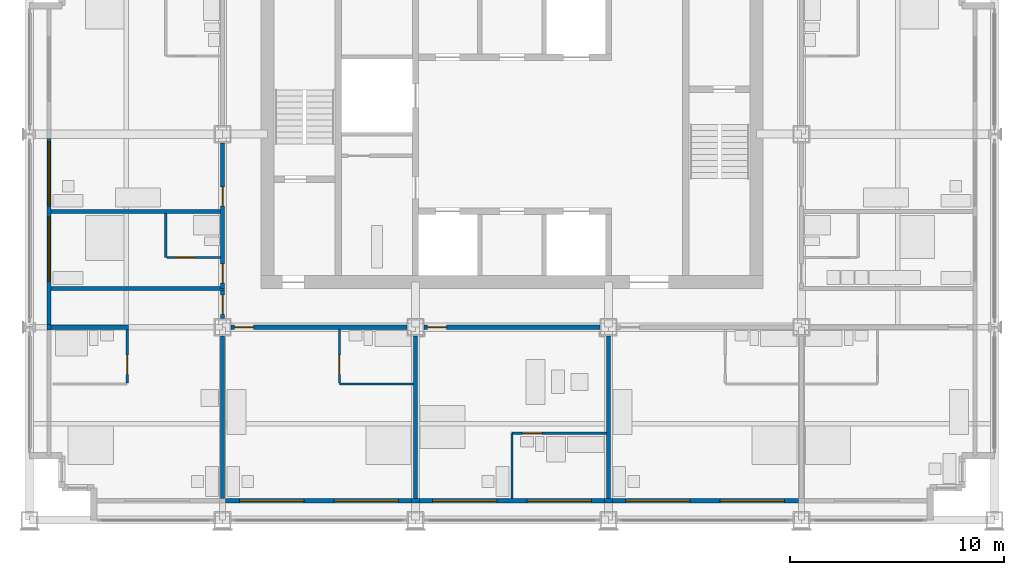
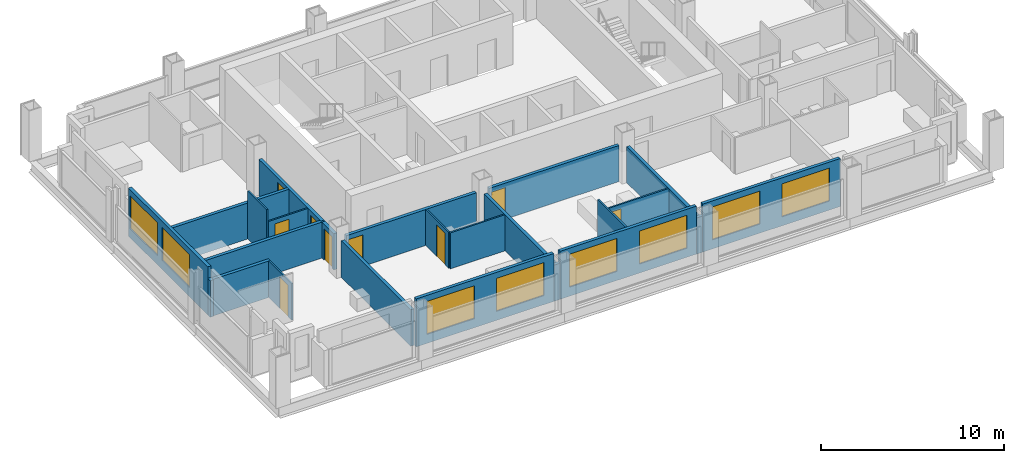
# One storey, part 7 of 13: 24 walls, 9 doors, 8 windows, 17 openings.
"""IFC4 building model written with IfcOpenShell, lengths in metres."""

from ifc_helpers import new_model, si_unit, direction, frame, frame_2d, origin, place, context, subcontext, project, spatial, rectangle, extrude, material, layer, layer_set, type_object, element, fill, save


model = new_model("IFC4")

# Units and contexts
model_context = context("Model", 3, precision=1e-05, world=origin(), true_north=direction((0.0, 1.0)))
body_context = subcontext(model_context, "Body", "Model", "MODEL_VIEW")
ifc_project = project(units=[si_unit("LENGTHUNIT", "METRE"), si_unit("AREAUNIT", "SQUARE_METRE"), si_unit("VOLUMEUNIT", "CUBIC_METRE"), si_unit("PLANEANGLEUNIT", "RADIAN"), si_unit("MASSUNIT", "GRAM", prefix="KILO")], contexts=[model_context])

# Site, building, storey
site_placement = place(None, origin())
site = spatial("IfcSite", under=ifc_project, at=site_placement, CompositionType="ELEMENT")
building_placement = place(site_placement, origin())
building = spatial("IfcBuilding", under=site, at=building_placement, Name="Loomwork Tower", CompositionType="ELEMENT")
storey_placement = place(building_placement, frame((0.0, 0.0, 174.0)))
storey = spatial("IfcBuildingStorey", under=building, at=storey_placement, Name="L47", CompositionType="ELEMENT", Elevation=174.0)

# Wall
ifc_material_1 = material(Name="Gypsum board on steel studs, one-hour", Category="steel")
ifc_layer_1 = layer(ifc_material_1, 0.199951171875)
ifc_layer_set_1 = layer_set([ifc_layer_1], Name="Corridor wall 200")
wall_type_1 = type_object("IfcWallType", Name="Corridor wall 200", PredefinedType="PARTITIONING", material=ifc_layer_set_1)
wall_1_placement = place(storey_placement, frame((1.0, 9.0, 0.0), z_axis=(0.0, 0.0, 1.0), x_axis=(1.0, 0.0, 0.0)))
element("IfcWall", 1, at=wall_1_placement, inside=storey, type_object=wall_type_1, Name="South corridor wall 1", PredefinedType="PARTITIONING", context=body_context, shape_type="SweptSolid", body=[
    extrude(rectangle(XDim=3.60009765625, YDim=0.199951171875, at=frame_2d((1.800048828125, 0.0))), origin(), (0.0, 0.0, 1.0), 2.43798828125),
])

# Wall, opening, door
wall_2_placement = place(storey_placement, frame((9.39990234375, 9.0, 0.0), z_axis=(0.0, 0.0, 1.0), x_axis=(1.0, 0.0, 0.0)))
wall_2 = element("IfcWall", 2, at=wall_2_placement, inside=storey, type_object=wall_type_1, Name="South corridor wall 2", PredefinedType="PARTITIONING", context=body_context, shape_type="SweptSolid", body=[
    extrude(rectangle(XDim=8.2001953125, YDim=0.199951171875, at=frame_2d((4.10009765625, 0.0))), origin(), (0.0, 0.0, 1.0), 2.405029296875),
])
opening_1_placement = place(wall_2_placement, frame((0.14990234375, 0.0, 0.0)))
opening_1 = element("IfcOpeningElement", 3, at=opening_1_placement, cuts=wall_2, Name="Opening D1", PredefinedType="OPENING", context=body_context, shape_type="SweptSolid", body=[
    extrude(rectangle(XDim=0.89990234375, YDim=2.10009765625, at=frame_2d((0.449951171875, 1.050048828125))), frame((0.0, 0.10986328125, 0.0), z_axis=(0.0, -1.0, 0.0), x_axis=(1.0, 0.0, 0.0)), (0.0, 0.0, 1.0), 0.219970703125),
])
ifc_material_2 = material(Name="Hollow metal door and frame")
door_type_1 = type_object("IfcDoorType", Name="Guest room entry door 900", OperationType="SINGLE_SWING_LEFT", PredefinedType="DOOR", material=ifc_material_2)
door_1_placement = place(opening_1_placement, frame((0.89990234375, 0.0, 0.0), z_axis=(0.0, 0.0, 1.0), x_axis=(-1.0, 0.0, 0.0)))
door_1 = element("IfcDoor", 4, at=door_1_placement, inside=storey, type_object=door_type_1, Name="Guest room entry door L47 2", OperationType="SINGLE_SWING_RIGHT", OverallHeight=2.10009765625, OverallWidth=0.89990234375, PredefinedType="DOOR", context=body_context, shape_type="SweptSolid", body=[
    extrude(rectangle(XDim=0.89990234375, YDim=2.10009765625, at=frame_2d((0.449951171875, 1.050048828125))), frame((0.0, 0.02490234375, 0.0), z_axis=(0.0, -1.0, 0.0), x_axis=(1.0, 0.0, 0.0)), (0.0, 0.0, 1.0), 0.050048828125),
])
fill(opening_1, door_1)

wall_3_placement = place(storey_placement, frame((18.39990234375, 9.0, 0.0), z_axis=(0.0, 0.0, 1.0), x_axis=(1.0, 0.0, 0.0)))
wall_3 = element("IfcWall", 5, at=wall_3_placement, inside=storey, type_object=wall_type_1, Name="South corridor wall 3", PredefinedType="PARTITIONING", context=body_context, shape_type="SweptSolid", body=[
    extrude(rectangle(XDim=8.2001953125, YDim=0.199951171875, at=frame_2d((4.10009765625, 0.0))), origin(), (0.0, 0.0, 1.0), 2.405029296875),
])
opening_2_placement = place(wall_3_placement, frame((0.14990234375, 0.0, 0.0)))
opening_2 = element("IfcOpeningElement", 6, at=opening_2_placement, cuts=wall_3, Name="Opening D1", PredefinedType="OPENING", context=body_context, shape_type="SweptSolid", body=[
    extrude(rectangle(XDim=0.89990234375, YDim=2.10009765625, at=frame_2d((0.449951171875, 1.050048828125))), frame((0.0, 0.10986328125, 0.0), z_axis=(0.0, -1.0, 0.0), x_axis=(1.0, 0.0, 0.0)), (0.0, 0.0, 1.0), 0.219970703125),
])
door_2_placement = place(opening_2_placement, frame((0.89990234375, 0.0, 0.0), z_axis=(0.0, 0.0, 1.0), x_axis=(-1.0, 0.0, 0.0)))
door_2 = element("IfcDoor", 7, at=door_2_placement, inside=storey, type_object=door_type_1, Name="Guest room entry door L47 3", OperationType="SINGLE_SWING_RIGHT", OverallHeight=2.10009765625, OverallWidth=0.89990234375, PredefinedType="DOOR", context=body_context, shape_type="SweptSolid", body=[
    extrude(rectangle(XDim=0.89990234375, YDim=2.10009765625, at=frame_2d((0.449951171875, 1.050048828125))), frame((0.0, 0.02490234375, 0.0), z_axis=(0.0, -1.0, 0.0), x_axis=(1.0, 0.0, 0.0)), (0.0, 0.0, 1.0), 0.050048828125),
])
fill(opening_2, door_2)

# Wall, openings, doors
wall_4_placement = place(storey_placement, frame((9.0, 10.800048828125, 0.0), z_axis=(0.0, 0.0, 1.0), x_axis=(0.0, 1.0, 0.0)))
wall_4 = element("IfcWall", 8, at=wall_4_placement, inside=storey, type_object=wall_type_1, Name="West corridor wall 1", PredefinedType="PARTITIONING", context=body_context, shape_type="SweptSolid", body=[
    extrude(rectangle(XDim=6.800048828125, YDim=0.199951171875, at=frame_2d((3.39990234375, 0.0))), origin(), (0.0, 0.0, 1.0), 2.405029296875),
])
opening_3_placement = place(wall_4_placement, frame((0.25, 0.0, 0.0)))
opening_3 = element("IfcOpeningElement", 9, at=opening_3_placement, cuts=wall_4, Name="Opening D1", PredefinedType="OPENING", context=body_context, shape_type="SweptSolid", body=[
    extrude(rectangle(XDim=0.89990234375, YDim=2.10009765625, at=frame_2d((0.449951171875, 1.050048828125))), frame((0.0, 0.10986328125, 0.0), z_axis=(0.0, -1.0, 0.0), x_axis=(1.0, 0.0, 0.0)), (0.0, 0.0, 1.0), 0.219970703125),
])
opening_4_placement = place(wall_4_placement, frame((3.85009765625, 0.0, 0.0)))
opening_4 = element("IfcOpeningElement", 10, at=opening_4_placement, cuts=wall_4, Name="Opening D1", PredefinedType="OPENING", context=body_context, shape_type="SweptSolid", body=[
    extrude(rectangle(XDim=0.89990234375, YDim=2.10009765625, at=frame_2d((0.449951171875, 1.050048828125))), frame((0.0, 0.10986328125, 0.0), z_axis=(0.0, -1.0, 0.0), x_axis=(1.0, 0.0, 0.0)), (0.0, 0.0, 1.0), 0.219970703125),
])
door_3_placement = place(opening_3_placement, origin())
door_3 = element("IfcDoor", 11, at=door_3_placement, inside=storey, type_object=door_type_1, Name="Guest room entry door L47 6", OperationType="SINGLE_SWING_LEFT", OverallHeight=2.10009765625, OverallWidth=0.89990234375, PredefinedType="DOOR", context=body_context, shape_type="SweptSolid", body=[
    extrude(rectangle(XDim=0.89990234375, YDim=2.10009765625, at=frame_2d((0.449951171875, 1.050048828125))), frame((0.0, 0.02490234375, 0.0), z_axis=(0.0, -1.0, 0.0), x_axis=(1.0, 0.0, 0.0)), (0.0, 0.0, 1.0), 0.050048828125),
])
fill(opening_3, door_3)
door_4_placement = place(opening_4_placement, origin())
door_4 = element("IfcDoor", 12, at=door_4_placement, inside=storey, type_object=door_type_1, Name="Guest room entry door L47 7", OperationType="SINGLE_SWING_LEFT", OverallHeight=2.10009765625, OverallWidth=0.89990234375, PredefinedType="DOOR", context=body_context, shape_type="SweptSolid", body=[
    extrude(rectangle(XDim=0.89990234375, YDim=2.10009765625, at=frame_2d((0.449951171875, 1.050048828125))), frame((0.0, 0.02490234375, 0.0), z_axis=(0.0, -1.0, 0.0), x_axis=(1.0, 0.0, 0.0)), (0.0, 0.0, 1.0), 0.050048828125),
])
fill(opening_4, door_4)

# Wall
wall_5_placement = place(storey_placement, frame((1.0, 10.800048828125, 0.0), z_axis=(0.0, 0.0, 1.0), x_axis=(1.0, 0.0, 0.0)))
element("IfcWall", 13, at=wall_5_placement, inside=storey, type_object=wall_type_1, Name="West band end wall S", PredefinedType="PARTITIONING", context=body_context, shape_type="SweptSolid", body=[
    extrude(rectangle(XDim=8.10009765625, YDim=0.199951171875, at=frame_2d((4.050048828125, 0.0))), origin(), (0.0, 0.0, 1.0), 2.404052734375),
])

# Wall, opening, door
wall_6_placement = place(storey_placement, frame((9.0, 9.39990234375, 0.0), z_axis=(0.0, 0.0, 1.0), x_axis=(0.0, 1.0, 0.0)))
wall_6 = element("IfcWall", 14, at=wall_6_placement, inside=storey, type_object=wall_type_1, Name="Corner suite foyer wall", PredefinedType="PARTITIONING", context=body_context, shape_type="SweptSolid", body=[
    extrude(rectangle(XDim=1.300048828125, YDim=0.199951171875, at=frame_2d((0.64990234375, 0.0))), origin(), (0.0, 0.0, 1.0), 2.405029296875),
])
opening_5_placement = place(wall_6_placement, frame((0.199951171875, 0.0, 0.0)))
opening_5 = element("IfcOpeningElement", 15, at=opening_5_placement, cuts=wall_6, Name="Opening D1", PredefinedType="OPENING", context=body_context, shape_type="SweptSolid", body=[
    extrude(rectangle(XDim=0.89990234375, YDim=2.10009765625, at=frame_2d((0.449951171875, 1.050048828125))), frame((0.0, 0.10986328125, 0.0), z_axis=(0.0, -1.0, 0.0), x_axis=(1.0, 0.0, 0.0)), (0.0, 0.0, 1.0), 0.219970703125),
])
door_5_placement = place(opening_5_placement, origin())
door_5 = element("IfcDoor", 16, at=door_5_placement, inside=storey, type_object=door_type_1, Name="Guest room entry door L47 1", OperationType="SINGLE_SWING_RIGHT", OverallHeight=2.10009765625, OverallWidth=0.89990234375, PredefinedType="DOOR", context=body_context, shape_type="SweptSolid", body=[
    extrude(rectangle(XDim=0.89990234375, YDim=2.10009765625, at=frame_2d((0.449951171875, 1.050048828125))), frame((0.0, 0.02490234375, 0.0), z_axis=(0.0, -1.0, 0.0), x_axis=(1.0, 0.0, 0.0)), (0.0, 0.0, 1.0), 0.050048828125),
])
fill(opening_5, door_5)

ifc_material_3 = material(Name="Cement board on steel studs", Category="steel")
ifc_layer_2 = layer(ifc_material_3, 0.10009765625)
ifc_layer_set_2 = layer_set([ifc_layer_2], Name="En-suite partition 100")
wall_type_2 = type_object("IfcWallType", Name="En-suite partition 100", PredefinedType="PARTITIONING", material=ifc_layer_set_2)
wall_7_placement = place(storey_placement, frame((4.550048828125, 8.89990234375, 0.0), z_axis=(0.0, 0.0, 1.0), x_axis=(0.0, -1.0, 0.0)))
wall_7 = element("IfcWall", 17, at=wall_7_placement, inside=storey, type_object=wall_type_2, Name="En-suite side wall L47 room 1", PredefinedType="PARTITIONING", context=body_context, shape_type="SweptSolid", body=[
    extrude(rectangle(XDim=2.5, YDim=0.10009765625, at=frame_2d((1.25, 0.0))), origin(), (0.0, 0.0, 1.0), 2.43798828125),
])
opening_6_placement = place(wall_7_placement, frame((1.199951171875, 0.0, 0.0)))
opening_6 = element("IfcOpeningElement", 18, at=opening_6_placement, cuts=wall_7, Name="Opening D3", PredefinedType="OPENING", context=body_context, shape_type="SweptSolid", body=[
    extrude(rectangle(XDim=0.89990234375, YDim=2.10009765625, at=frame_2d((0.449951171875, 1.050048828125))), frame((0.0, 0.06005859375, 0.0), z_axis=(0.0, -1.0, 0.0), x_axis=(1.0, 0.0, 0.0)), (0.0, 0.0, 1.0), 0.1201171875),
])
ifc_material_4 = material(Name="Hollow metal door and frame")
door_type_2 = type_object("IfcDoorType", Name="Accessible en-suite door 900", OperationType="SLIDING_TO_LEFT", PredefinedType="DOOR", material=ifc_material_4)
door_6_placement = place(opening_6_placement, origin())
door_6 = element("IfcDoor", 19, at=door_6_placement, inside=storey, type_object=door_type_2, Name="Accessible en-suite door room 1", OperationType="SLIDING_TO_LEFT", OverallHeight=2.10009765625, OverallWidth=0.89990234375, PredefinedType="DOOR", context=body_context, shape_type="SweptSolid", body=[
    extrude(rectangle(XDim=0.89990234375, YDim=2.10009765625, at=frame_2d((0.449951171875, 1.050048828125))), frame((0.0, 0.02490234375, 0.0), z_axis=(0.0, -1.0, 0.0), x_axis=(1.0, 0.0, 0.0)), (0.0, 0.0, 1.0), 0.050048828125),
])
fill(opening_6, door_6)

# Wall
wall_8_placement = place(storey_placement, frame((14.449951171875, 6.35009765625, 0.0), z_axis=(0.0, 0.0, 1.0), x_axis=(1.0, 0.0, 0.0)))
element("IfcWall", 20, at=wall_8_placement, inside=storey, type_object=wall_type_2, Name="En-suite wall L47 room 2", PredefinedType="PARTITIONING", context=body_context, shape_type="SweptSolid", body=[
    extrude(rectangle(XDim=3.449951171875, YDim=0.10009765625, at=frame_2d((1.72509765625, 0.0))), origin(), (0.0, 0.0, 1.0), 2.404052734375),
])

# Wall, opening, door
wall_9_placement = place(storey_placement, frame((14.449951171875, 8.89990234375, 0.0), z_axis=(0.0, 0.0, 1.0), x_axis=(0.0, -1.0, 0.0)))
wall_9 = element("IfcWall", 21, at=wall_9_placement, inside=storey, type_object=wall_type_2, Name="En-suite side wall L47 room 2", PredefinedType="PARTITIONING", context=body_context, shape_type="SweptSolid", body=[
    extrude(rectangle(XDim=2.5, YDim=0.10009765625, at=frame_2d((1.25, 0.0))), origin(), (0.0, 0.0, 1.0), 2.404052734375),
])
opening_7_placement = place(wall_9_placement, frame((1.199951171875, 0.0, 0.0)))
opening_7 = element("IfcOpeningElement", 22, at=opening_7_placement, cuts=wall_9, Name="Opening D2", PredefinedType="OPENING", context=body_context, shape_type="SweptSolid", body=[
    extrude(rectangle(XDim=0.89990234375, YDim=2.10009765625, at=frame_2d((0.449951171875, 1.050048828125))), frame((0.0, 0.06005859375, 0.0), z_axis=(0.0, -1.0, 0.0), x_axis=(1.0, 0.0, 0.0)), (0.0, 0.0, 1.0), 0.1201171875),
])
ifc_material_5 = material(Name="Hollow metal door and frame")
door_type_3 = type_object("IfcDoorType", Name="En-suite door 900", OperationType="SINGLE_SWING_LEFT", PredefinedType="DOOR", material=ifc_material_5)
door_7_placement = place(opening_7_placement, origin())
door_7 = element("IfcDoor", 23, at=door_7_placement, inside=storey, type_object=door_type_3, Name="En-suite door room 2", OperationType="SINGLE_SWING_RIGHT", OverallHeight=2.10009765625, OverallWidth=0.89990234375, PredefinedType="DOOR", context=body_context, shape_type="SweptSolid", body=[
    extrude(rectangle(XDim=0.89990234375, YDim=2.10009765625, at=frame_2d((0.449951171875, 1.050048828125))), frame((0.0, 0.02490234375, 0.0), z_axis=(0.0, -1.0, 0.0), x_axis=(1.0, 0.0, 0.0)), (0.0, 0.0, 1.0), 0.050048828125),
])
fill(opening_7, door_7)

wall_10_placement = place(storey_placement, frame((22.5, 4.050048828125, 0.0), z_axis=(0.0, 0.0, 1.0), x_axis=(1.0, 0.0, 0.0)))
wall_10 = element("IfcWall", 24, at=wall_10_placement, inside=storey, type_object=wall_type_2, Name="Spa bathroom wall L47 room 3", PredefinedType="PARTITIONING", context=body_context, shape_type="SweptSolid", body=[
    extrude(rectangle(XDim=4.39990234375, YDim=0.10009765625, at=frame_2d((2.199951171875, 0.0))), origin(), (0.0, 0.0, 1.0), 2.404052734375),
])
opening_8_placement = place(wall_10_placement, frame((0.5, 0.0, 0.0)))
opening_8 = element("IfcOpeningElement", 25, at=opening_8_placement, cuts=wall_10, Name="Opening D2", PredefinedType="OPENING", context=body_context, shape_type="SweptSolid", body=[
    extrude(rectangle(XDim=0.89990234375, YDim=2.10009765625, at=frame_2d((0.449951171875, 1.050048828125))), frame((0.0, 0.06005859375, 0.0), z_axis=(0.0, -1.0, 0.0), x_axis=(1.0, 0.0, 0.0)), (0.0, 0.0, 1.0), 0.1201171875),
])
door_8_placement = place(opening_8_placement, frame((0.89990234375, 0.0, 0.0), z_axis=(0.0, 0.0, 1.0), x_axis=(-1.0, 0.0, 0.0)))
door_8 = element("IfcDoor", 26, at=door_8_placement, inside=storey, type_object=door_type_3, Name="Spa bathroom door room 3", OperationType="SINGLE_SWING_RIGHT", OverallHeight=2.10009765625, OverallWidth=0.89990234375, PredefinedType="DOOR", context=body_context, shape_type="SweptSolid", body=[
    extrude(rectangle(XDim=0.89990234375, YDim=2.10009765625, at=frame_2d((0.449951171875, 1.050048828125))), frame((0.0, 0.02490234375, 0.0), z_axis=(0.0, -1.0, 0.0), x_axis=(1.0, 0.0, 0.0)), (0.0, 0.0, 1.0), 0.050048828125),
])
fill(opening_8, door_8)

# Walls
wall_11_placement = place(storey_placement, frame((22.5, 4.050048828125, 0.0), z_axis=(0.0, 0.0, 1.0), x_axis=(0.0, -1.0, 0.0)))
element("IfcWall", 27, at=wall_11_placement, inside=storey, type_object=wall_type_2, Name="Spa bathroom side wall L47 room 3", PredefinedType="PARTITIONING", context=body_context, shape_type="SweptSolid", body=[
    extrude(rectangle(XDim=3.050048828125, YDim=0.10009765625, at=frame_2d((1.52490234375, 0.0))), origin(), (0.0, 0.0, 1.0), 3.199951171875),
])
wall_12_placement = place(storey_placement, frame((6.35009765625, 12.25, 0.0), z_axis=(0.0, 0.0, 1.0), x_axis=(0.0, 1.0, 0.0)))
element("IfcWall", 28, at=wall_12_placement, inside=storey, type_object=wall_type_2, Name="En-suite wall L47 room 6", PredefinedType="PARTITIONING", context=body_context, shape_type="SweptSolid", body=[
    extrude(rectangle(XDim=2.050048828125, YDim=0.10009765625, at=frame_2d((1.02490234375, 0.0))), origin(), (0.0, 0.0, 1.0), 3.199951171875),
])

# Wall, opening, door
wall_13_placement = place(storey_placement, frame((8.89990234375, 12.25, 0.0), z_axis=(0.0, 0.0, 1.0), x_axis=(-1.0, 0.0, 0.0)))
wall_13 = element("IfcWall", 29, at=wall_13_placement, inside=storey, type_object=wall_type_2, Name="En-suite side wall L47 room 6", PredefinedType="PARTITIONING", context=body_context, shape_type="SweptSolid", body=[
    extrude(rectangle(XDim=2.5, YDim=0.10009765625, at=frame_2d((1.25, 0.0))), origin(), (0.0, 0.0, 1.0), 2.404052734375),
])
opening_9_placement = place(wall_13_placement, frame((1.199951171875, 0.0, 0.0)))
opening_9 = element("IfcOpeningElement", 30, at=opening_9_placement, cuts=wall_13, Name="Opening D2", PredefinedType="OPENING", context=body_context, shape_type="SweptSolid", body=[
    extrude(rectangle(XDim=0.89990234375, YDim=2.10009765625, at=frame_2d((0.449951171875, 1.050048828125))), frame((0.0, 0.06005859375, 0.0), z_axis=(0.0, -1.0, 0.0), x_axis=(1.0, 0.0, 0.0)), (0.0, 0.0, 1.0), 0.1201171875),
])
door_9_placement = place(opening_9_placement, frame((0.89990234375, 0.0, 0.0), z_axis=(0.0, 0.0, 1.0), x_axis=(-1.0, 0.0, 0.0)))
door_9 = element("IfcDoor", 31, at=door_9_placement, inside=storey, type_object=door_type_3, Name="En-suite door room 6", OperationType="SINGLE_SWING_LEFT", OverallHeight=2.10009765625, OverallWidth=0.89990234375, PredefinedType="DOOR", context=body_context, shape_type="SweptSolid", body=[
    extrude(rectangle(XDim=0.89990234375, YDim=2.10009765625, at=frame_2d((0.449951171875, 1.050048828125))), frame((0.0, 0.02490234375, 0.0), z_axis=(0.0, -1.0, 0.0), x_axis=(1.0, 0.0, 0.0)), (0.0, 0.0, 1.0), 0.050048828125),
])
fill(opening_9, door_9)

# Walls
ifc_material_6 = material(Name="Gypsum board on steel studs, acoustic", Category="steel")
ifc_layer_3 = layer(ifc_material_6, 0.199951171875)
ifc_layer_set_3 = layer_set([ifc_layer_3], Name="Guest room party wall 200")
wall_type_3 = type_object("IfcWallType", Name="Guest room party wall 200", PredefinedType="PARTITIONING", material=ifc_layer_set_3)
wall_14_placement = place(storey_placement, frame((9.0, 8.60009765625, 0.0), z_axis=(0.0, 0.0, 1.0), x_axis=(0.0, -1.0, 0.0)))
element("IfcWall", 32, at=wall_14_placement, inside=storey, type_object=wall_type_3, Name="Guest room party wall S 9", PredefinedType="PARTITIONING", context=body_context, shape_type="SweptSolid", body=[
    extrude(rectangle(XDim=7.60009765625, YDim=0.199951171875, at=frame_2d((3.800048828125, 0.0))), origin(), (0.0, 0.0, 1.0), 2.43798828125),
])
for number, where, z_axis, x_axis, name in (
    (33, (18.0, 8.60009765625, 0.0), (0.0, 0.0, 1.0), (0.0, -1.0, 0.0), "Guest room party wall S 18"),
    (34, (27.0, 8.60009765625, 0.0), (0.0, 0.0, 1.0), (0.0, -1.0, 0.0), "Guest room party wall S 27"),
):
    element("IfcWall", number, at=place(storey_placement, frame(where, z_axis=z_axis, x_axis=x_axis)), inside=storey, type_object=wall_type_3, Name=name, PredefinedType="PARTITIONING", context=body_context, shape_type="SweptSolid", body=[
        extrude(rectangle(XDim=7.60009765625, YDim=0.199951171875, at=frame_2d((3.800048828125, 0.0))), origin(), (0.0, 0.0, 1.0), 2.405029296875),
    ])
wall_15_placement = place(storey_placement, frame((8.89990234375, 14.39990234375, 0.0), z_axis=(0.0, 0.0, 1.0), x_axis=(-1.0, 0.0, 0.0)))
element("IfcWall", 35, at=wall_15_placement, inside=storey, type_object=wall_type_3, Name="Guest room party wall W 14.4", PredefinedType="PARTITIONING", context=body_context, shape_type="SweptSolid", body=[
    extrude(rectangle(XDim=7.89990234375, YDim=0.199951171875, at=frame_2d((3.949951171875, 0.0))), origin(), (0.0, 0.0, 1.0), 2.404052734375),
])

# Wall, openings, windows
ifc_material_7 = material(Name="Insulated steel stud wall with gypsum lining", Category="steel")
ifc_layer_4 = layer(ifc_material_7, 0.199951171875)
ifc_layer_set_4 = layer_set([ifc_layer_4], Name="Inner skin wall 200")
wall_type_4 = type_object("IfcWallType", Name="Inner skin wall 200", PredefinedType="SOLIDWALL", material=ifc_layer_set_4)
wall_16_placement = place(storey_placement, frame((9.13525390625, 0.89990234375, 0.0), z_axis=(0.0, 0.0, 1.0), x_axis=(1.0, 0.0, 0.0)))
wall_16 = element("IfcWall", 36, at=wall_16_placement, inside=storey, type_object=wall_type_4, Name="Inner skin wall S bay 3", PredefinedType="SOLIDWALL", context=body_context, shape_type="SweptSolid", body=[
    extrude(rectangle(XDim=8.6708984375, YDim=0.199951171875, at=frame_2d((4.33544921875, 0.0))), origin(), (0.0, 0.0, 1.0), 3.199951171875),
])
opening_10_placement = place(wall_16_placement, frame((0.664794921875, 0.0, 0.60009765625)))
opening_10 = element("IfcOpeningElement", 37, at=opening_10_placement, cuts=wall_16, Name="Opening CH1", PredefinedType="OPENING", context=body_context, shape_type="SweptSolid", body=[
    extrude(rectangle(XDim=3.0, YDim=2.199951171875, at=frame_2d((1.5, 1.10009765625))), frame((0.0, 0.10986328125, 0.0), z_axis=(0.0, -1.0, 0.0), x_axis=(1.0, 0.0, 0.0)), (0.0, 0.0, 1.0), 0.219970703125),
])
opening_11_placement = place(wall_16_placement, frame((5.064697265625, 0.0, 0.60009765625)))
opening_11 = element("IfcOpeningElement", 38, at=opening_11_placement, cuts=wall_16, Name="Opening CH1", PredefinedType="OPENING", context=body_context, shape_type="SweptSolid", body=[
    extrude(rectangle(XDim=3.0, YDim=2.199951171875, at=frame_2d((1.5, 1.10009765625))), frame((0.0, 0.10986328125, 0.0), z_axis=(0.0, -1.0, 0.0), x_axis=(1.0, 0.0, 0.0)), (0.0, 0.0, 1.0), 0.219970703125),
])
ifc_material_8 = material(Name="Aluminium frame with clear insulated glass", Category="aluminium")
window_type = type_object("IfcWindowType", Name="Chicago window 3000", PartitioningType="TRIPLE_PANEL_VERTICAL", PredefinedType="WINDOW", material=ifc_material_8)
window_1_placement = place(opening_10_placement, origin())
window_1 = element("IfcWindow", 39, at=window_1_placement, inside=storey, type_object=window_type, Name="Chicago window L47 bay 2", OverallHeight=2.199951171875, OverallWidth=3.0, PartitioningType="TRIPLE_PANEL_VERTICAL", PredefinedType="WINDOW", context=body_context, shape_type="SweptSolid", body=[
    extrude(rectangle(XDim=3.0, YDim=2.199951171875, at=frame_2d((1.5, 1.10009765625))), frame((0.0, 0.030029296875, 0.0), z_axis=(0.0, -1.0, 0.0), x_axis=(1.0, 0.0, 0.0)), (0.0, 0.0, 1.0), 0.06005859375),
])
fill(opening_10, window_1)
window_2_placement = place(opening_11_placement, origin())
window_2 = element("IfcWindow", 40, at=window_2_placement, inside=storey, type_object=window_type, Name="Chicago window L47 bay 2", OverallHeight=2.199951171875, OverallWidth=3.0, PartitioningType="TRIPLE_PANEL_VERTICAL", PredefinedType="WINDOW", context=body_context, shape_type="SweptSolid", body=[
    extrude(rectangle(XDim=3.0, YDim=2.199951171875, at=frame_2d((1.5, 1.10009765625))), frame((0.0, 0.030029296875, 0.0), z_axis=(0.0, -1.0, 0.0), x_axis=(1.0, 0.0, 0.0)), (0.0, 0.0, 1.0), 0.06005859375),
])
fill(opening_11, window_2)

# Wall
wall_17_placement = place(storey_placement, frame((17.80615234375, 0.89990234375, 0.0), z_axis=(0.0, 0.0, 1.0), x_axis=(1.0, 0.0, 0.0)))
element("IfcWall", 41, at=wall_17_placement, inside=storey, type_object=wall_type_4, Name="Inner skin wall S bay 4", PredefinedType="SOLIDWALL", context=body_context, shape_type="SweptSolid", body=[
    extrude(rectangle(XDim=0.3876953125, YDim=0.199951171875, at=frame_2d((0.19384765625, 0.0))), origin(), (0.0, 0.0, 1.0), 2.404052734375),
])

# Wall, openings, windows
wall_18_placement = place(storey_placement, frame((18.19384765625, 0.89990234375, 0.0), z_axis=(0.0, 0.0, 1.0), x_axis=(1.0, 0.0, 0.0)))
wall_18 = element("IfcWall", 42, at=wall_18_placement, inside=storey, type_object=wall_type_4, Name="Inner skin wall S bay 5", PredefinedType="SOLIDWALL", context=body_context, shape_type="SweptSolid", body=[
    extrude(rectangle(XDim=8.6123046875, YDim=0.199951171875, at=frame_2d((4.30615234375, 0.0))), origin(), (0.0, 0.0, 1.0), 3.199951171875),
])
opening_12_placement = place(wall_18_placement, frame((0.606201171875, 0.0, 0.60009765625)))
opening_12 = element("IfcOpeningElement", 43, at=opening_12_placement, cuts=wall_18, Name="Opening CH1", PredefinedType="OPENING", context=body_context, shape_type="SweptSolid", body=[
    extrude(rectangle(XDim=3.0, YDim=2.199951171875, at=frame_2d((1.5, 1.10009765625))), frame((0.0, 0.10986328125, 0.0), z_axis=(0.0, -1.0, 0.0), x_axis=(1.0, 0.0, 0.0)), (0.0, 0.0, 1.0), 0.219970703125),
])
opening_13_placement = place(wall_18_placement, frame((5.006103515625, 0.0, 0.60009765625)))
opening_13 = element("IfcOpeningElement", 44, at=opening_13_placement, cuts=wall_18, Name="Opening CH1", PredefinedType="OPENING", context=body_context, shape_type="SweptSolid", body=[
    extrude(rectangle(XDim=3.0, YDim=2.199951171875, at=frame_2d((1.5, 1.10009765625))), frame((0.0, 0.10986328125, 0.0), z_axis=(0.0, -1.0, 0.0), x_axis=(1.0, 0.0, 0.0)), (0.0, 0.0, 1.0), 0.219970703125),
])
window_3_placement = place(opening_12_placement, origin())
window_3 = element("IfcWindow", 45, at=window_3_placement, inside=storey, type_object=window_type, Name="Chicago window L47 bay 3", OverallHeight=2.199951171875, OverallWidth=3.0, PartitioningType="TRIPLE_PANEL_VERTICAL", PredefinedType="WINDOW", context=body_context, shape_type="SweptSolid", body=[
    extrude(rectangle(XDim=3.0, YDim=2.199951171875, at=frame_2d((1.5, 1.10009765625))), frame((0.0, 0.030029296875, 0.0), z_axis=(0.0, -1.0, 0.0), x_axis=(1.0, 0.0, 0.0)), (0.0, 0.0, 1.0), 0.06005859375),
])
fill(opening_12, window_3)
window_4_placement = place(opening_13_placement, origin())
window_4 = element("IfcWindow", 46, at=window_4_placement, inside=storey, type_object=window_type, Name="Chicago window L47 bay 3", OverallHeight=2.199951171875, OverallWidth=3.0, PartitioningType="TRIPLE_PANEL_VERTICAL", PredefinedType="WINDOW", context=body_context, shape_type="SweptSolid", body=[
    extrude(rectangle(XDim=3.0, YDim=2.199951171875, at=frame_2d((1.5, 1.10009765625))), frame((0.0, 0.030029296875, 0.0), z_axis=(0.0, -1.0, 0.0), x_axis=(1.0, 0.0, 0.0)), (0.0, 0.0, 1.0), 0.06005859375),
])
fill(opening_13, window_4)

# Wall
wall_19_placement = place(storey_placement, frame((26.80615234375, 0.89990234375, 0.0), z_axis=(0.0, 0.0, 1.0), x_axis=(1.0, 0.0, 0.0)))
element("IfcWall", 47, at=wall_19_placement, inside=storey, type_object=wall_type_4, Name="Inner skin wall S bay 6", PredefinedType="SOLIDWALL", context=body_context, shape_type="SweptSolid", body=[
    extrude(rectangle(XDim=0.3876953125, YDim=0.199951171875, at=frame_2d((0.19384765625, 0.0))), origin(), (0.0, 0.0, 1.0), 2.404052734375),
])

# Wall, openings, windows
wall_20_placement = place(storey_placement, frame((27.19384765625, 0.89990234375, 0.0), z_axis=(0.0, 0.0, 1.0), x_axis=(1.0, 0.0, 0.0)))
wall_20 = element("IfcWall", 48, at=wall_20_placement, inside=storey, type_object=wall_type_4, Name="Inner skin wall S bay 7", PredefinedType="SOLIDWALL", context=body_context, shape_type="SweptSolid", body=[
    extrude(rectangle(XDim=8.670654296875, YDim=0.199951171875, at=frame_2d((4.33544921875, 0.0))), origin(), (0.0, 0.0, 1.0), 3.199951171875),
])
opening_14_placement = place(wall_20_placement, frame((0.606201171875, 0.0, 0.60009765625)))
opening_14 = element("IfcOpeningElement", 49, at=opening_14_placement, cuts=wall_20, Name="Opening CH1", PredefinedType="OPENING", context=body_context, shape_type="SweptSolid", body=[
    extrude(rectangle(XDim=3.0, YDim=2.199951171875, at=frame_2d((1.5, 1.10009765625))), frame((0.0, 0.10986328125, 0.0), z_axis=(0.0, -1.0, 0.0), x_axis=(1.0, 0.0, 0.0)), (0.0, 0.0, 1.0), 0.219970703125),
])
opening_15_placement = place(wall_20_placement, frame((5.006103515625, 0.0, 0.60009765625)))
opening_15 = element("IfcOpeningElement", 50, at=opening_15_placement, cuts=wall_20, Name="Opening CH1", PredefinedType="OPENING", context=body_context, shape_type="SweptSolid", body=[
    extrude(rectangle(XDim=3.0, YDim=2.199951171875, at=frame_2d((1.5, 1.10009765625))), frame((0.0, 0.10986328125, 0.0), z_axis=(0.0, -1.0, 0.0), x_axis=(1.0, 0.0, 0.0)), (0.0, 0.0, 1.0), 0.219970703125),
])
window_5_placement = place(opening_14_placement, origin())
window_5 = element("IfcWindow", 51, at=window_5_placement, inside=storey, type_object=window_type, Name="Chicago window L47 bay 4", OverallHeight=2.199951171875, OverallWidth=3.0, PartitioningType="TRIPLE_PANEL_VERTICAL", PredefinedType="WINDOW", context=body_context, shape_type="SweptSolid", body=[
    extrude(rectangle(XDim=3.0, YDim=2.199951171875, at=frame_2d((1.5, 1.10009765625))), frame((0.0, 0.030029296875, 0.0), z_axis=(0.0, -1.0, 0.0), x_axis=(1.0, 0.0, 0.0)), (0.0, 0.0, 1.0), 0.06005859375),
])
fill(opening_14, window_5)
window_6_placement = place(opening_15_placement, origin())
window_6 = element("IfcWindow", 52, at=window_6_placement, inside=storey, type_object=window_type, Name="Chicago window L47 bay 4", OverallHeight=2.199951171875, OverallWidth=3.0, PartitioningType="TRIPLE_PANEL_VERTICAL", PredefinedType="WINDOW", context=body_context, shape_type="SweptSolid", body=[
    extrude(rectangle(XDim=3.0, YDim=2.199951171875, at=frame_2d((1.5, 1.10009765625))), frame((0.0, 0.030029296875, 0.0), z_axis=(0.0, -1.0, 0.0), x_axis=(1.0, 0.0, 0.0)), (0.0, 0.0, 1.0), 0.06005859375),
])
fill(opening_15, window_6)

# Wall
wall_21_placement = place(storey_placement, frame((0.89990234375, 8.86474609375, 0.0), z_axis=(0.0, 0.0, 1.0), x_axis=(0.0, 1.0, 0.0)))
element("IfcWall", 53, at=wall_21_placement, inside=storey, type_object=wall_type_4, Name="Inner skin wall W bay 4", PredefinedType="SOLIDWALL", context=body_context, shape_type="SweptSolid", body=[
    extrude(rectangle(XDim=0.2705078125, YDim=0.199951171875, at=frame_2d((0.13525390625, 0.0))), origin(), (0.0, 0.0, 1.0), 2.43798828125),
])

# Wall, openings, windows
wall_22_placement = place(storey_placement, frame((0.89990234375, 9.13525390625, 0.0), z_axis=(0.0, 0.0, 1.0), x_axis=(0.0, 1.0, 0.0)))
wall_22 = element("IfcWall", 54, at=wall_22_placement, inside=storey, type_object=wall_type_4, Name="Inner skin wall W bay 5", PredefinedType="SOLIDWALL", context=body_context, shape_type="SweptSolid", body=[
    extrude(rectangle(XDim=8.6708984375, YDim=0.199951171875, at=frame_2d((4.33544921875, 0.0))), origin(), (0.0, 0.0, 1.0), 3.199951171875),
])
opening_16_placement = place(wall_22_placement, frame((2.0146484375, 0.0, 0.60009765625)))
opening_16 = element("IfcOpeningElement", 55, at=opening_16_placement, cuts=wall_22, Name="Opening CH1", PredefinedType="OPENING", context=body_context, shape_type="SweptSolid", body=[
    extrude(rectangle(XDim=3.0, YDim=2.199951171875, at=frame_2d((1.5, 1.10009765625))), frame((0.0, 0.10986328125, 0.0), z_axis=(0.0, -1.0, 0.0), x_axis=(1.0, 0.0, 0.0)), (0.0, 0.0, 1.0), 0.219970703125),
])
opening_17_placement = place(wall_22_placement, frame((5.5146484375, 0.0, 0.60009765625)))
opening_17 = element("IfcOpeningElement", 56, at=opening_17_placement, cuts=wall_22, Name="Opening CH1", PredefinedType="OPENING", context=body_context, shape_type="SweptSolid", body=[
    extrude(rectangle(XDim=3.0, YDim=2.199951171875, at=frame_2d((1.5, 1.10009765625))), frame((0.0, 0.10986328125, 0.0), z_axis=(0.0, -1.0, 0.0), x_axis=(1.0, 0.0, 0.0)), (0.0, 0.0, 1.0), 0.219970703125),
])
window_7_placement = place(opening_16_placement, origin())
window_7 = element("IfcWindow", 57, at=window_7_placement, inside=storey, type_object=window_type, Name="Chicago window L47 bay 6", OverallHeight=2.199951171875, OverallWidth=3.0, PartitioningType="TRIPLE_PANEL_VERTICAL", PredefinedType="WINDOW", context=body_context, shape_type="SweptSolid", body=[
    extrude(rectangle(XDim=3.0, YDim=2.199951171875, at=frame_2d((1.5, 1.10009765625))), frame((0.0, 0.030029296875, 0.0), z_axis=(0.0, -1.0, 0.0), x_axis=(1.0, 0.0, 0.0)), (0.0, 0.0, 1.0), 0.06005859375),
])
fill(opening_16, window_7)
window_8_placement = place(opening_17_placement, origin())
window_8 = element("IfcWindow", 58, at=window_8_placement, inside=storey, type_object=window_type, Name="Chicago window L47 bay 6", OverallHeight=2.199951171875, OverallWidth=3.0, PartitioningType="TRIPLE_PANEL_VERTICAL", PredefinedType="WINDOW", context=body_context, shape_type="SweptSolid", body=[
    extrude(rectangle(XDim=3.0, YDim=2.199951171875, at=frame_2d((1.5, 1.10009765625))), frame((0.0, 0.030029296875, 0.0), z_axis=(0.0, -1.0, 0.0), x_axis=(1.0, 0.0, 0.0)), (0.0, 0.0, 1.0), 0.06005859375),
])
fill(opening_17, window_8)

save(model, "model.ifc")
